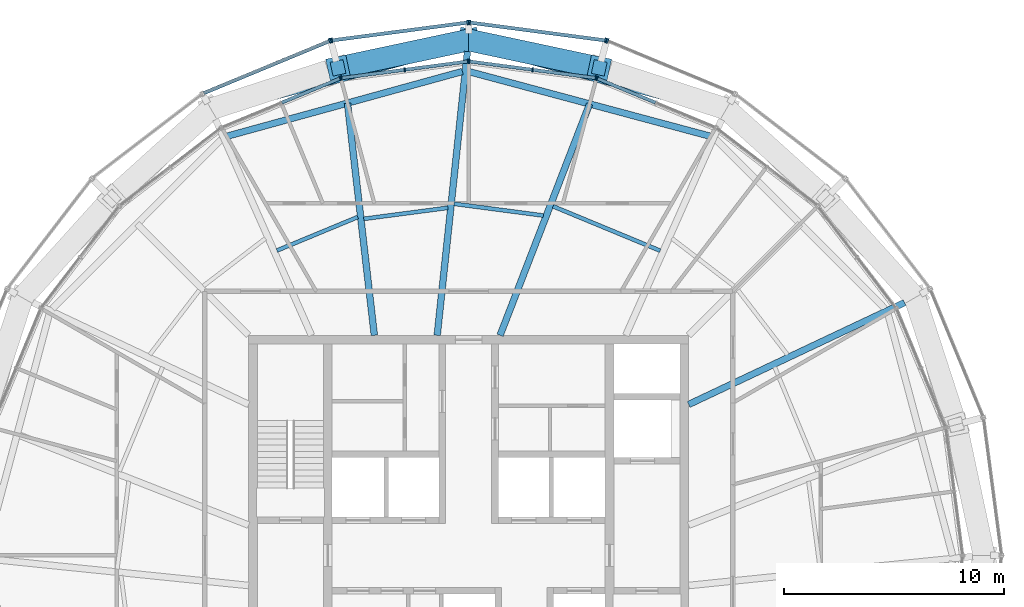
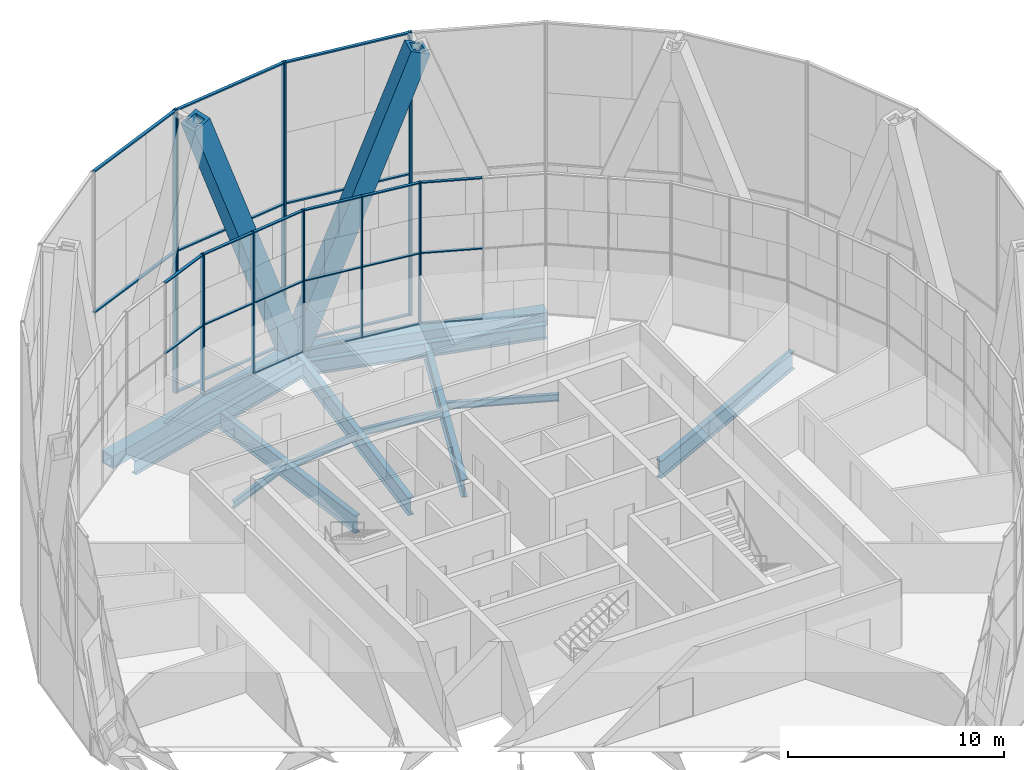
# One storey, part 7 of 22: 42 members, 12 beams, 8 elements without a shape of their own.
"""IFC4 building model written with IfcOpenShell, lengths in metres."""

import ifcopenshell
import ifcopenshell.guid

model = None  # the IFC model being written
_history = None  # IfcOwnerHistory: only IFC2X3 demands one
_inside = {}  # id of a spatial element -> (the spatial element, [elements in it])
_under = {}  # id of a project, library or spatial element -> (it, [spatial elements below it])
_declared = {}  # id of a project -> (the project, [libraries it declares])
_typed = {}  # id of a type object -> (the type object, [elements of that type])
_made_of = {}  # id of a material, layer set ... -> (it, [elements and type objects made of it])


def new_model(schema):
    """Start an empty IFC model of exactly this schema.

    Asked for "IFC4X3", IfcOpenShell would pick the latest addendum, in which some entities
    have other attributes; the version numbers below select the first issue.
    IFC2X3 requires an IfcOwnerHistory on every rooted entity: one is made here for all.
    """
    global model, _history
    if schema == "IFC4X3":
        model = ifcopenshell.file(schema_version=(4, 3, 0, 0))
    else:
        model = ifcopenshell.file(schema=schema)
    _inside.clear()
    _under.clear()
    _declared.clear()
    _typed.clear()
    _made_of.clear()
    _history = None
    if model.schema == "IFC2X3":
        org = make("IfcOrganization", Name="unknown")
        user = make(
            "IfcPersonAndOrganization",
            ThePerson=make("IfcPerson", FamilyName="unknown"),
            TheOrganization=org,
        )
        app = make(
            "IfcApplication",
            ApplicationDeveloper=org,
            Version="unknown",
            ApplicationFullName="unknown",
            ApplicationIdentifier="unknown",
        )
        _history = make(
            "IfcOwnerHistory",
            OwningUser=user,
            OwningApplication=app,
            ChangeAction="ADDED",
            CreationDate=0,
        )
    return model


def make(cls, **values):
    """One entity of the class cls with the attributes given. An attribute that is None is left unset."""
    return model.create_entity(
        cls, **{name: value for name, value in values.items() if value is not None}
    )


def rooted(cls, **values):
    """An entity with a GlobalId (a new one), such as an element, a storey or a relation."""
    return make(cls, GlobalId=ifcopenshell.guid.new(), OwnerHistory=_history, **values)


def si_unit(unit_type, name, prefix=None):
    """IfcSIUnit, for example si_unit("LENGTHUNIT", "METRE", prefix="MILLI")."""
    return make("IfcSIUnit", UnitType=unit_type, Prefix=prefix, Name=name)


def assignment(units):
    """IfcUnitAssignment: the units of a project."""
    return None if units is None else make("IfcUnitAssignment", Units=units)


def point(xyz):
    """IfcCartesianPoint."""
    return None if xyz is None else make("IfcCartesianPoint", Coordinates=xyz)


def direction(xyz):
    """IfcDirection."""
    return None if xyz is None else make("IfcDirection", DirectionRatios=xyz)


def frame(location, z_axis=None, x_axis=None):
    """IfcAxis2Placement3D, a coordinate frame: its origin and axes. An axis left out is left unset."""
    return make(
        "IfcAxis2Placement3D",
        Location=point(location),
        Axis=direction(z_axis),
        RefDirection=direction(x_axis),
    )


def frame_2d(location, x_axis=None):
    """IfcAxis2Placement2D, a coordinate frame in the plane: its origin and x axis."""
    return make(
        "IfcAxis2Placement2D", Location=point(location), RefDirection=direction(x_axis)
    )


def origin():
    """The frame at (0, 0, 0) with its axes left unset."""
    return frame((0.0, 0.0, 0.0))


def origin_2d():
    """The frame at (0, 0) in the plane with its x axis left unset."""
    return frame_2d((0.0, 0.0))


def place(relative_to, where):
    """IfcLocalPlacement: puts the frame where relative to a parent placement (None: the world)."""
    return make(
        "IfcLocalPlacement", PlacementRelTo=relative_to, RelativePlacement=where
    )


def context(
    kind, dimensions, precision=None, world=None, true_north=None, identifier=None
):
    """IfcGeometricRepresentationContext, for example the 3D "Model" context."""
    return make(
        "IfcGeometricRepresentationContext",
        ContextIdentifier=identifier,
        ContextType=kind,
        CoordinateSpaceDimension=dimensions,
        Precision=precision,
        WorldCoordinateSystem=world,
        TrueNorth=true_north,
    )


def subcontext(parent, identifier, kind, view, scale=None):
    """IfcGeometricRepresentationSubContext, for example "Body" below "Model"."""
    return make(
        "IfcGeometricRepresentationSubContext",
        ContextIdentifier=identifier,
        ContextType=kind,
        ParentContext=parent,
        TargetScale=scale,
        TargetView=view,
    )


def project(units=None, contexts=None):
    """IfcProject with its units and contexts."""
    return rooted(
        "IfcProject",
        Name="project",
        RepresentationContexts=contexts,
        UnitsInContext=assignment(units),
    )


def spatial(cls, under=None, at=None, **own):
    """A site, building, storey or space (cls), placed at a placement, below another one or the project."""
    s = rooted(cls, ObjectPlacement=at, **own)
    if under is not None:
        _under.setdefault(under.id(), (under, []))[1].append(s)
    return s


def profile(cls, at=None, kind="AREA", **sizes):
    """A parametric profile (cls). Its sizes go by their IFC names, for example OverallWidth=200.0."""
    return make(cls, ProfileType=kind, Position=at, **sizes)


def rectangle(**sizes):
    """IfcRectangleProfileDef."""
    return profile("IfcRectangleProfileDef", **sizes)


def hollow_rectangle(**sizes):
    """IfcRectangleHollowProfileDef."""
    return profile("IfcRectangleHollowProfileDef", **sizes)


def i_section(**sizes):
    """IfcIShapeProfileDef."""
    return profile("IfcIShapeProfileDef", **sizes)


def extrude(swept, where, along, depth):
    """IfcExtrudedAreaSolid: the profile swept, set in the frame where, extruded along a direction by depth."""
    return make(
        "IfcExtrudedAreaSolid",
        SweptArea=swept,
        Position=where,
        ExtrudedDirection=direction(along),
        Depth=depth,
    )


def shape(context_of_items, identifier, shape_type, items):
    """IfcShapeRepresentation: the items that make up one representation, for example the "Body"."""
    return make(
        "IfcShapeRepresentation",
        ContextOfItems=context_of_items,
        RepresentationIdentifier=identifier,
        RepresentationType=shape_type,
        Items=items,
    )


def material(Name=None, Category=None):
    """IfcMaterial."""
    return make("IfcMaterial", Name=Name, Category=Category)


def material_profile(
    of_material, cross_section, Name=None, Category=None, Priority=None
):
    """IfcMaterialProfile: a cross section and its material."""
    return make(
        "IfcMaterialProfile",
        Name=Name,
        Material=of_material,
        Profile=cross_section,
        Priority=Priority,
        Category=Category,
    )


def profile_set(profiles, Name=None, composite=None):
    """IfcMaterialProfileSet."""
    return make(
        "IfcMaterialProfileSet",
        Name=Name,
        MaterialProfiles=profiles,
        CompositeProfile=composite,
    )


def made_of(thing, what):
    """Note that an element or type object is made of a material, layer set ...; save() writes the relation."""
    if what is not None:
        _made_of.setdefault(what.id(), (what, []))[1].append(thing)
    return thing


def type_object(cls, material=None, **own):
    """A type object (cls), such as IfcWallType, which elements share."""
    return made_of(rooted(cls, **own), material)


def element(
    cls,
    number,
    at=None,
    inside=None,
    cuts=None,
    type_object=None,
    material=None,
    context=None,
    identifier="Body",
    shape_type=None,
    held_by="IfcProductDefinitionShape",
    body=None,
    shapes=None,
    **own,
):
    """One element of the class cls, such as IfcWall. Its Tag is "e" and its number.

    at: its placement. inside: the storey or other place that contains it. cuts: it is an
    opening in that element (IfcRelVoidsElement). A single representation is given by context,
    identifier, shape_type and body (its items); several are given by shapes. held_by: the class
    of the entity that holds the representations. save() writes the other relations.
    """
    e = rooted(cls, Tag="e%d" % number, ObjectPlacement=at, **own)
    if body is not None:
        shapes = [shape(context, identifier, shape_type, body)]
    if shapes is not None:
        e.Representation = make(held_by, Representations=shapes)
    if inside is not None:
        _inside.setdefault(inside.id(), (inside, []))[1].append(e)
    if cuts is not None:
        rooted(
            "IfcRelVoidsElement", RelatingBuildingElement=cuts, RelatedOpeningElement=e
        )
    if type_object is not None:
        _typed.setdefault(type_object.id(), (type_object, []))[1].append(e)
    return made_of(e, material)


def aggregate(whole, parts):
    """IfcRelAggregates: a whole, such as a stair, and the parts it consists of."""
    return rooted("IfcRelAggregates", RelatingObject=whole, RelatedObjects=parts)


def save(model, path):
    """Write the relations noted so far, then the file.

    IfcRelAggregates (storeys below a building ...), IfcRelContainedInSpatialStructure (elements
    in a storey), IfcRelDefinesByType, IfcRelAssociatesMaterial and IfcRelDeclares: one each for
    every whole, place, type object, material and project.
    """
    for whole, parts in _under.values():
        aggregate(whole, parts)
    for where, things in _inside.values():
        rooted(
            "IfcRelContainedInSpatialStructure",
            RelatedElements=things,
            RelatingStructure=where,
        )
    for kind, things in _typed.values():
        rooted("IfcRelDefinesByType", RelatedObjects=things, RelatingType=kind)
    for what, things in _made_of.values():
        rooted("IfcRelAssociatesMaterial", RelatedObjects=things, RelatingMaterial=what)
    for by, libraries in _declared.values():
        rooted("IfcRelDeclares", RelatingContext=by, RelatedDefinitions=libraries)
    model.write(path)


model = new_model("IFC4")

# Units and contexts
model_context = context("Model", 3, precision=1e-05, world=origin(), true_north=direction((0.0, 1.0)))
body_context = subcontext(model_context, "Body", "Model", "MODEL_VIEW")
ifc_project = project(units=[si_unit("LENGTHUNIT", "METRE"), si_unit("AREAUNIT", "SQUARE_METRE"), si_unit("VOLUMEUNIT", "CUBIC_METRE"), si_unit("PLANEANGLEUNIT", "RADIAN"), si_unit("MASSUNIT", "GRAM", prefix="KILO")], contexts=[model_context])

# Site, building, storey
site_placement = place(None, origin())
site = spatial("IfcSite", under=ifc_project, at=site_placement, CompositionType="ELEMENT")
building_placement = place(site_placement, origin())
building = spatial("IfcBuilding", under=site, at=building_placement, Name="Golbaran Civic Tower", CompositionType="ELEMENT")
storey_placement = place(building_placement, frame((0.0, 0.0, 248.0)))
storey = spatial("IfcBuildingStorey", under=building, at=storey_placement, Name="L60", CompositionType="ELEMENT", Elevation=248.0)

# Members
ifc_material_1 = material(Name="Steel S355", Category="steel")
ifc_material_profile_1 = material_profile(ifc_material_1, hollow_rectangle(XDim=1.0, YDim=1.0, WallThickness=0.179931640625, at=origin_2d()), Name="BOX 1000x1000x180")
ifc_profile_set_1 = profile_set([ifc_material_profile_1], Name="Steel S355")
member_type_1 = type_object("IfcMemberType", Name="DIAGRID DIAGONAL BOX 1000x1000x180", PredefinedType="BRACE", material=ifc_profile_set_1)
for number, where, z_axis, x_axis, name in (
    (1, (0.0, 23.423095703125, -0.7099609375), (-0.346918780994, -0.07401466611, 0.934970153852), (0.208652833004, -0.977989772584, 0.0), "Diagonal D14-03R L60-L64"),
    (2, (0.0, 23.423095703125, -0.7099609375), (0.346918780994, -0.07401466611, 0.934970153852), (0.208652833004, 0.977989772584, 0.0), "Diagonal D14-03L L60-L64"),
):
    element("IfcMember", number, at=place(storey_placement, frame(where, z_axis=z_axis, x_axis=x_axis)), inside=storey, type_object=member_type_1, Name=name, PredefinedType="BRACE", context=body_context, shape_type="SweptSolid", body=[
        extrude(hollow_rectangle(XDim=1.0, YDim=1.0, WallThickness=0.179931640625, at=origin_2d()), origin(), (0.0, 0.0, 1.0), 17.11279296875),
    ])

# Beams
ifc_material_profile_2 = material_profile(ifc_material_1, hollow_rectangle(XDim=0.699951171875, YDim=0.699951171875, WallThickness=0.080078125, at=origin_2d()), Name="BOX 700x700x80")
ifc_profile_set_2 = profile_set([ifc_material_profile_2], Name="Steel S355")
beam_type_1 = type_object("IfcBeamType", Name="DIAGRID RING TIE BOX 700x700x80", PredefinedType="BEAM", material=ifc_profile_set_2)
for number, where, z_axis, x_axis, name in (
    (3, (11.71142578125, 20.284912109375, -0.7099609375), (-0.965923423827, 0.258828011046, 0.0), (-0.258828011046, -0.965923423827, 0.0), "Ring tie 60.00 L60"),
    (4, (0.0, 23.423095703125, -0.7099609375), (-0.965923423827, -0.258828011046, 0.0), (0.258828011046, -0.965923423827, 0.0), "Ring tie 90.00 L60"),
):
    element("IfcBeam", number, at=place(storey_placement, frame(where, z_axis=z_axis, x_axis=x_axis)), inside=storey, type_object=beam_type_1, Name=name, PredefinedType="BEAM", context=body_context, shape_type="SweptSolid", body=[
        extrude(hollow_rectangle(XDim=0.699951171875, YDim=0.699951171875, WallThickness=0.080078125, at=origin_2d()), origin(), (0.0, 0.0, 1.0), 12.12451171875),
    ])
ifc_material_profile_3 = material_profile(ifc_material_1, i_section(OverallWidth=0.300048828125, OverallDepth=0.800048828125, WebThickness=0.017578125, FlangeThickness=0.032958984375, FilletRadius=0.030029296875, at=origin_2d()), Name="HEB 800")
ifc_profile_set_3 = profile_set([ifc_material_profile_3], Name="Steel S355")
beam_type_2 = type_object("IfcBeamType", Name="EDGE BEAM HEB 800", PredefinedType="BEAM", material=ifc_profile_set_3)
beam_1_placement = place(storey_placement, frame((11.015380859375, 19.038330078125, -0.60009765625), z_axis=(-0.965930693555, 0.258800879537, 0.0), x_axis=(-0.258800879537, -0.965930693555, 0.0)))
element("IfcBeam", 5, at=beam_1_placement, inside=storey, type_object=beam_type_2, Name="Edge beam 60.00 L60", PredefinedType="BEAM", context=body_context, shape_type="SweptSolid", body=[
    extrude(i_section(OverallWidth=0.300048828125, OverallDepth=0.800048828125, WebThickness=0.017578125, FlangeThickness=0.032958984375, FilletRadius=0.030029296875, at=origin_2d()), origin(), (0.0, 0.0, 1.0), 11.42578125),
])
beam_2_placement = place(storey_placement, frame((-0.282958984375, 21.992431640625, -0.60009765625), z_axis=(-0.964163607289, -0.265308383544, 0.0), x_axis=(0.265308383544, -0.964163607289, 0.0)))
element("IfcBeam", 6, at=beam_2_placement, inside=storey, type_object=beam_type_2, Name="Edge beam 90.00 L60", PredefinedType="BEAM", context=body_context, shape_type="SweptSolid", body=[
    extrude(i_section(OverallWidth=0.300048828125, OverallDepth=0.800048828125, WebThickness=0.017578125, FlangeThickness=0.032958984375, FilletRadius=0.030029296875, at=origin_2d()), origin(), (0.0, 0.0, 1.0), 11.1318359375),
])
ifc_material_profile_4 = material_profile(ifc_material_1, i_section(OverallWidth=0.179931640625, OverallDepth=0.39990234375, WebThickness=0.008544921875, FlangeThickness=0.013427734375, FilletRadius=0.02099609375, at=origin_2d()), Name="IPE 400")
ifc_profile_set_4 = profile_set([ifc_material_profile_4], Name="Steel S355")
beam_type_3 = type_object("IfcBeamType", Name="FLOOR INFILL BEAM IPE 400", PredefinedType="BEAM", material=ifc_profile_set_4)
beam_3_placement = place(storey_placement, frame((8.708740234375, 13.84521484375, -0.39990234375), z_axis=(-0.92388706237, 0.382665253172, 0.0), x_axis=(-0.382665253172, -0.92388706237, 0.0)))
element("IfcBeam", 7, at=beam_3_placement, inside=storey, type_object=beam_type_3, Name="Infill beam 67.50 L60", PredefinedType="BEAM", context=body_context, shape_type="SweptSolid", body=[
    extrude(i_section(OverallWidth=0.179931640625, OverallDepth=0.39990234375, WebThickness=0.008544921875, FlangeThickness=0.013427734375, FilletRadius=0.02099609375, at=origin_2d()), origin(), (0.0, 0.0, 1.0), 5.273681640625),
])
beam_4_placement = place(storey_placement, frame((3.3955078125, 15.44384765625, -0.39990234375), z_axis=(-0.991443326473, 0.130537850423, 0.0), x_axis=(-0.130537850423, -0.991443326473, 0.0)))
element("IfcBeam", 8, at=beam_4_placement, inside=storey, type_object=beam_type_3, Name="Infill beam 82.50 L60", PredefinedType="BEAM", context=body_context, shape_type="SweptSolid", body=[
    extrude(i_section(OverallWidth=0.179931640625, OverallDepth=0.39990234375, WebThickness=0.008544921875, FlangeThickness=0.013427734375, FilletRadius=0.02099609375, at=origin_2d()), origin(), (0.0, 0.0, 1.0), 4.092041015625),
])
beam_5_placement = place(storey_placement, frame((-0.9423828125, 15.79638671875, -0.39990234375), z_axis=(-0.991450849113, -0.130480702762, 0.0), x_axis=(0.130480702762, -0.991450849113, 0.0)))
element("IfcBeam", 9, at=beam_5_placement, inside=storey, type_object=beam_type_3, Name="Infill beam 97.50 L60", PredefinedType="BEAM", context=body_context, shape_type="SweptSolid", body=[
    extrude(i_section(OverallWidth=0.179931640625, OverallDepth=0.39990234375, WebThickness=0.008544921875, FlangeThickness=0.013427734375, FilletRadius=0.02099609375, at=origin_2d()), origin(), (0.0, 0.0, 1.0), 3.858154296875),
])
beam_6_placement = place(storey_placement, frame((-5.0390625, 15.376220703125, -0.39990234375), z_axis=(-0.923881392468, -0.382678942002, 0.0), x_axis=(0.382678942002, -0.923881392468, 0.0)))
element("IfcBeam", 10, at=beam_6_placement, inside=storey, type_object=beam_type_3, Name="Infill beam 112.50 L60", PredefinedType="BEAM", context=body_context, shape_type="SweptSolid", body=[
    extrude(i_section(OverallWidth=0.179931640625, OverallDepth=0.39990234375, WebThickness=0.008544921875, FlangeThickness=0.013427734375, FilletRadius=0.02099609375, at=origin_2d()), origin(), (0.0, 0.0, 1.0), 3.9765625),
])

# Curtain wall, member
ifc_material_2 = material(Name="Aluminium and glass", Category="aluminium")
curtain_wall_type_1 = type_object("IfcCurtainWallType", Name="INNER SKIN CURTAIN WALL EXECUTIVE", PredefinedType="NOTDEFINED", material=ifc_material_2)
curtain_wall_1_placement = place(storey_placement, origin())
curtain_wall_1 = element("IfcCurtainWall", 11, at=curtain_wall_1_placement, inside=storey, type_object=curtain_wall_type_1, Name="Inner skin L60 facet 5 CW2", ObjectType="INNER SKIN", PredefinedType="USERDEFINED")
ifc_material_3 = material(Name="Aluminium", Category="aluminium")
ifc_material_profile_5 = material_profile(ifc_material_3, rectangle(XDim=0.199951171875, YDim=0.06005859375, at=origin_2d()), Name="INNER SKIN CURTAIN WALL EXECUTIVE MULLION")
ifc_profile_set_5 = profile_set([ifc_material_profile_5], Name="Aluminium")
member_type_2 = type_object("IfcMemberType", Name="INNER SKIN CURTAIN WALL EXECUTIVE MULLION", PredefinedType="MULLION", material=ifc_profile_set_5)
member_1_placement = place(storey_placement, frame((5.838623046875, 21.675537109375, 0.0), z_axis=(0.0, 0.0, 1.0), x_axis=(-0.382683432381, -0.923879532505, 0.0)))
member_1 = element("IfcMember", 12, at=member_1_placement, type_object=member_type_2, Name="CW2 mullion 3", PredefinedType="MULLION", context=body_context, shape_type="SweptSolid", body=[
    extrude(rectangle(XDim=0.199951171875, YDim=0.06005859375, at=origin_2d()), origin(), (0.0, 0.0, 1.0), 8.0),
])

# Curtain wall, members
curtain_wall_2_placement = place(storey_placement, origin())
curtain_wall_2 = element("IfcCurtainWall", 13, at=curtain_wall_2_placement, inside=storey, type_object=curtain_wall_type_1, Name="Inner skin L60 facet 6 CW2", ObjectType="INNER SKIN", PredefinedType="USERDEFINED")
member_2_placement = place(storey_placement, frame((5.78125, 21.69091796875, 0.0), z_axis=(0.0, 0.0, 1.0), x_axis=(-0.130526192185, -0.991444861378, 0.0)))
member_2 = element("IfcMember", 14, at=member_2_placement, type_object=member_type_2, Name="CW2 mullion 1", PredefinedType="MULLION", context=body_context, shape_type="SweptSolid", body=[
    extrude(rectangle(XDim=0.199951171875, YDim=0.06005859375, at=origin_2d()), origin(), (0.0, 0.0, 1.0), 8.0),
])
member_3_placement = place(storey_placement, frame((2.905517578125, 22.069580078125, 0.0), z_axis=(0.0, 0.0, 1.0), x_axis=(-0.130526192185, -0.991444861378, 0.0)))
member_3 = element("IfcMember", 15, at=member_3_placement, type_object=member_type_2, Name="CW2 mullion 2", PredefinedType="MULLION", context=body_context, shape_type="SweptSolid", body=[
    extrude(rectangle(XDim=0.199951171875, YDim=0.06005859375, at=origin_2d()), origin(), (0.0, 0.0, 1.0), 8.0),
])
member_4_placement = place(storey_placement, frame((0.02978515625, 22.447998046875, 0.0), z_axis=(0.0, 0.0, 1.0), x_axis=(-0.130526192185, -0.991444861378, 0.0)))
member_4 = element("IfcMember", 16, at=member_4_placement, type_object=member_type_2, Name="CW2 mullion 3", PredefinedType="MULLION", context=body_context, shape_type="SweptSolid", body=[
    extrude(rectangle(XDim=0.199951171875, YDim=0.06005859375, at=origin_2d()), origin(), (0.0, 0.0, 1.0), 8.0),
])

curtain_wall_3_placement = place(storey_placement, origin())
curtain_wall_3 = element("IfcCurtainWall", 17, at=curtain_wall_3_placement, inside=storey, type_object=curtain_wall_type_1, Name="Inner skin L60 facet 7 CW2", ObjectType="INNER SKIN", PredefinedType="USERDEFINED")
member_5_placement = place(storey_placement, frame((-0.02978515625, 22.447998046875, 0.0), z_axis=(0.0, 0.0, 1.0), x_axis=(0.130526192185, -0.991444861378, 0.0)))
member_5 = element("IfcMember", 18, at=member_5_placement, type_object=member_type_2, Name="CW2 mullion 1", PredefinedType="MULLION", context=body_context, shape_type="SweptSolid", body=[
    extrude(rectangle(XDim=0.199951171875, YDim=0.06005859375, at=origin_2d()), origin(), (0.0, 0.0, 1.0), 8.0),
])
member_6_placement = place(storey_placement, frame((-2.905517578125, 22.069580078125, 0.0), z_axis=(0.0, 0.0, 1.0), x_axis=(0.130526192185, -0.991444861378, 0.0)))
member_6 = element("IfcMember", 19, at=member_6_placement, type_object=member_type_2, Name="CW2 mullion 2", PredefinedType="MULLION", context=body_context, shape_type="SweptSolid", body=[
    extrude(rectangle(XDim=0.199951171875, YDim=0.06005859375, at=origin_2d()), origin(), (0.0, 0.0, 1.0), 8.0),
])
member_7_placement = place(storey_placement, frame((-5.78125, 21.69091796875, 0.0), z_axis=(0.0, 0.0, 1.0), x_axis=(0.130526192185, -0.991444861378, 0.0)))
member_7 = element("IfcMember", 20, at=member_7_placement, type_object=member_type_2, Name="CW2 mullion 3", PredefinedType="MULLION", context=body_context, shape_type="SweptSolid", body=[
    extrude(rectangle(XDim=0.199951171875, YDim=0.06005859375, at=origin_2d()), origin(), (0.0, 0.0, 1.0), 8.0),
])

# Curtain wall, member
curtain_wall_4_placement = place(storey_placement, origin())
curtain_wall_4 = element("IfcCurtainWall", 21, at=curtain_wall_4_placement, inside=storey, type_object=curtain_wall_type_1, Name="Inner skin L60 facet 8 CW2", ObjectType="INNER SKIN", PredefinedType="USERDEFINED")
member_8_placement = place(storey_placement, frame((-5.838623046875, 21.675537109375, 0.0), z_axis=(0.0, 0.0, 1.0), x_axis=(0.382683432381, -0.923879532505, 0.0)))
member_8 = element("IfcMember", 22, at=member_8_placement, type_object=member_type_2, Name="CW2 mullion 1", PredefinedType="MULLION", context=body_context, shape_type="SweptSolid", body=[
    extrude(rectangle(XDim=0.199951171875, YDim=0.06005859375, at=origin_2d()), origin(), (0.0, 0.0, 1.0), 8.0),
])

# Member
ifc_material_profile_6 = material_profile(ifc_material_3, rectangle(XDim=0.14990234375, YDim=0.06005859375, at=origin_2d()), Name="INNER SKIN CURTAIN WALL EXECUTIVE TRANSOM")
ifc_profile_set_6 = profile_set([ifc_material_profile_6], Name="Aluminium")
member_type_3 = type_object("IfcMemberType", Name="INNER SKIN CURTAIN WALL EXECUTIVE TRANSOM", PredefinedType="USERDEFINED", material=ifc_profile_set_6)
member_9_placement = place(storey_placement, frame((8.49072265625, 20.576904296875, 0.030029296875), z_axis=(-0.923860739284, 0.382728800078, 0.0), x_axis=(-0.382728800078, -0.923860739284, 0.0)))
member_9 = element("IfcMember", 23, at=member_9_placement, type_object=member_type_3, Name="CW2 transom 2.1", ObjectType="TRANSOM", PredefinedType="USERDEFINED", context=body_context, shape_type="SweptSolid", body=[
    extrude(rectangle(XDim=0.14990234375, YDim=0.06005859375, at=origin_2d()), origin(), (0.0, 0.0, 1.0), 2.840576171875),
])

member_10_placement = place(storey_placement, frame((8.49072265625, 20.576904296875, 4.0), z_axis=(-0.923860739284, 0.382728800078, 0.0), x_axis=(-0.382728800078, -0.923860739284, 0.0)))
member_10 = element("IfcMember", 24, at=member_10_placement, type_object=member_type_3, Name="CW2 transom 2.2", ObjectType="TRANSOM", PredefinedType="USERDEFINED", context=body_context, shape_type="SweptSolid", body=[
    extrude(rectangle(XDim=0.14990234375, YDim=0.06005859375, at=origin_2d()), origin(), (0.0, 0.0, 1.0), 2.840576171875),
])

member_11_placement = place(storey_placement, frame((8.49072265625, 20.576904296875, 7.969970703125), z_axis=(-0.923860739284, 0.382728800078, 0.0), x_axis=(-0.382728800078, -0.923860739284, 0.0)))
member_11 = element("IfcMember", 25, at=member_11_placement, type_object=member_type_3, Name="CW2 transom 2.3", ObjectType="TRANSOM", PredefinedType="USERDEFINED", context=body_context, shape_type="SweptSolid", body=[
    extrude(rectangle(XDim=0.14990234375, YDim=0.06005859375, at=origin_2d()), origin(), (0.0, 0.0, 1.0), 2.840576171875),
])

aggregate(curtain_wall_1, [member_1, member_9, member_10, member_11])

member_12_placement = place(storey_placement, frame((5.75146484375, 21.69482421875, 0.030029296875), z_axis=(-0.991440540275, 0.130559010028, 0.0), x_axis=(-0.130559010028, -0.991440540275, 0.0)))
member_12 = element("IfcMember", 26, at=member_12_placement, type_object=member_type_3, Name="CW2 transom 1.1", ObjectType="TRANSOM", PredefinedType="USERDEFINED", context=body_context, shape_type="SweptSolid", body=[
    extrude(rectangle(XDim=0.14990234375, YDim=0.06005859375, at=origin_2d()), origin(), (0.0, 0.0, 1.0), 2.840576171875),
])

member_13_placement = place(storey_placement, frame((5.75146484375, 21.69482421875, 4.0), z_axis=(-0.991440540275, 0.130559010028, 0.0), x_axis=(-0.130559010028, -0.991440540275, 0.0)))
member_13 = element("IfcMember", 27, at=member_13_placement, type_object=member_type_3, Name="CW2 transom 1.2", ObjectType="TRANSOM", PredefinedType="USERDEFINED", context=body_context, shape_type="SweptSolid", body=[
    extrude(rectangle(XDim=0.14990234375, YDim=0.06005859375, at=origin_2d()), origin(), (0.0, 0.0, 1.0), 2.840576171875),
])

member_14_placement = place(storey_placement, frame((5.75146484375, 21.69482421875, 7.969970703125), z_axis=(-0.991440540275, 0.130559010028, 0.0), x_axis=(-0.130559010028, -0.991440540275, 0.0)))
member_14 = element("IfcMember", 28, at=member_14_placement, type_object=member_type_3, Name="CW2 transom 1.3", ObjectType="TRANSOM", PredefinedType="USERDEFINED", context=body_context, shape_type="SweptSolid", body=[
    extrude(rectangle(XDim=0.14990234375, YDim=0.06005859375, at=origin_2d()), origin(), (0.0, 0.0, 1.0), 2.840576171875),
])

member_15_placement = place(storey_placement, frame((2.875732421875, 22.073486328125, 0.030029296875), z_axis=(-0.991451662378, 0.130474523059, 0.0), x_axis=(-0.130474523059, -0.991451662378, 0.0)))
member_15 = element("IfcMember", 29, at=member_15_placement, type_object=member_type_3, Name="CW2 transom 2.1", ObjectType="TRANSOM", PredefinedType="USERDEFINED", context=body_context, shape_type="SweptSolid", body=[
    extrude(rectangle(XDim=0.14990234375, YDim=0.06005859375, at=origin_2d()), origin(), (0.0, 0.0, 1.0), 2.84033203125),
])

member_16_placement = place(storey_placement, frame((2.875732421875, 22.073486328125, 4.0), z_axis=(-0.991451662378, 0.130474523059, 0.0), x_axis=(-0.130474523059, -0.991451662378, 0.0)))
member_16 = element("IfcMember", 30, at=member_16_placement, type_object=member_type_3, Name="CW2 transom 2.2", ObjectType="TRANSOM", PredefinedType="USERDEFINED", context=body_context, shape_type="SweptSolid", body=[
    extrude(rectangle(XDim=0.14990234375, YDim=0.06005859375, at=origin_2d()), origin(), (0.0, 0.0, 1.0), 2.84033203125),
])

member_17_placement = place(storey_placement, frame((2.875732421875, 22.073486328125, 7.969970703125), z_axis=(-0.991451662378, 0.130474523059, 0.0), x_axis=(-0.130474523059, -0.991451662378, 0.0)))
member_17 = element("IfcMember", 31, at=member_17_placement, type_object=member_type_3, Name="CW2 transom 2.3", ObjectType="TRANSOM", PredefinedType="USERDEFINED", context=body_context, shape_type="SweptSolid", body=[
    extrude(rectangle(XDim=0.14990234375, YDim=0.06005859375, at=origin_2d()), origin(), (0.0, 0.0, 1.0), 2.84033203125),
])

aggregate(curtain_wall_2, [member_2, member_3, member_4, member_12, member_13, member_14, member_15, member_16, member_17])

member_18_placement = place(storey_placement, frame((-0.0595703125, 22.444091796875, 0.030029296875), z_axis=(-0.991451662378, -0.130474523059, 0.0), x_axis=(0.130474523059, -0.991451662378, 0.0)))
member_18 = element("IfcMember", 32, at=member_18_placement, type_object=member_type_3, Name="CW2 transom 1.1", ObjectType="TRANSOM", PredefinedType="USERDEFINED", context=body_context, shape_type="SweptSolid", body=[
    extrude(rectangle(XDim=0.14990234375, YDim=0.06005859375, at=origin_2d()), origin(), (0.0, 0.0, 1.0), 2.84033203125),
])

member_19_placement = place(storey_placement, frame((-0.0595703125, 22.444091796875, 4.0), z_axis=(-0.991451662378, -0.130474523059, 0.0), x_axis=(0.130474523059, -0.991451662378, 0.0)))
member_19 = element("IfcMember", 33, at=member_19_placement, type_object=member_type_3, Name="CW2 transom 1.2", ObjectType="TRANSOM", PredefinedType="USERDEFINED", context=body_context, shape_type="SweptSolid", body=[
    extrude(rectangle(XDim=0.14990234375, YDim=0.06005859375, at=origin_2d()), origin(), (0.0, 0.0, 1.0), 2.84033203125),
])

member_20_placement = place(storey_placement, frame((-0.0595703125, 22.444091796875, 7.969970703125), z_axis=(-0.991451662378, -0.130474523059, 0.0), x_axis=(0.130474523059, -0.991451662378, 0.0)))
member_20 = element("IfcMember", 34, at=member_20_placement, type_object=member_type_3, Name="CW2 transom 1.3", ObjectType="TRANSOM", PredefinedType="USERDEFINED", context=body_context, shape_type="SweptSolid", body=[
    extrude(rectangle(XDim=0.14990234375, YDim=0.06005859375, at=origin_2d()), origin(), (0.0, 0.0, 1.0), 2.84033203125),
])

member_21_placement = place(storey_placement, frame((-2.935302734375, 22.065673828125, 0.030029296875), z_axis=(-0.991440540275, -0.130559010028, 0.0), x_axis=(0.130559010028, -0.991440540275, 0.0)))
member_21 = element("IfcMember", 35, at=member_21_placement, type_object=member_type_3, Name="CW2 transom 2.1", ObjectType="TRANSOM", PredefinedType="USERDEFINED", context=body_context, shape_type="SweptSolid", body=[
    extrude(rectangle(XDim=0.14990234375, YDim=0.06005859375, at=origin_2d()), origin(), (0.0, 0.0, 1.0), 2.840576171875),
])

member_22_placement = place(storey_placement, frame((-2.935302734375, 22.065673828125, 4.0), z_axis=(-0.991440540275, -0.130559010028, 0.0), x_axis=(0.130559010028, -0.991440540275, 0.0)))
member_22 = element("IfcMember", 36, at=member_22_placement, type_object=member_type_3, Name="CW2 transom 2.2", ObjectType="TRANSOM", PredefinedType="USERDEFINED", context=body_context, shape_type="SweptSolid", body=[
    extrude(rectangle(XDim=0.14990234375, YDim=0.06005859375, at=origin_2d()), origin(), (0.0, 0.0, 1.0), 2.840576171875),
])

member_23_placement = place(storey_placement, frame((-2.935302734375, 22.065673828125, 7.969970703125), z_axis=(-0.991440540275, -0.130559010028, 0.0), x_axis=(0.130559010028, -0.991440540275, 0.0)))
member_23 = element("IfcMember", 37, at=member_23_placement, type_object=member_type_3, Name="CW2 transom 2.3", ObjectType="TRANSOM", PredefinedType="USERDEFINED", context=body_context, shape_type="SweptSolid", body=[
    extrude(rectangle(XDim=0.14990234375, YDim=0.06005859375, at=origin_2d()), origin(), (0.0, 0.0, 1.0), 2.840576171875),
])

aggregate(curtain_wall_3, [member_5, member_6, member_7, member_18, member_19, member_20, member_21, member_22, member_23])

member_24_placement = place(storey_placement, frame((-5.866455078125, 21.6640625, 0.030029296875), z_axis=(-0.923860739284, -0.382728800078, 0.0), x_axis=(0.382728800078, -0.923860739284, 0.0)))
member_24 = element("IfcMember", 38, at=member_24_placement, type_object=member_type_3, Name="CW2 transom 1.1", ObjectType="TRANSOM", PredefinedType="USERDEFINED", context=body_context, shape_type="SweptSolid", body=[
    extrude(rectangle(XDim=0.14990234375, YDim=0.06005859375, at=origin_2d()), origin(), (0.0, 0.0, 1.0), 2.840576171875),
])

member_25_placement = place(storey_placement, frame((-5.866455078125, 21.6640625, 4.0), z_axis=(-0.923860739284, -0.382728800078, 0.0), x_axis=(0.382728800078, -0.923860739284, 0.0)))
member_25 = element("IfcMember", 39, at=member_25_placement, type_object=member_type_3, Name="CW2 transom 1.2", ObjectType="TRANSOM", PredefinedType="USERDEFINED", context=body_context, shape_type="SweptSolid", body=[
    extrude(rectangle(XDim=0.14990234375, YDim=0.06005859375, at=origin_2d()), origin(), (0.0, 0.0, 1.0), 2.840576171875),
])

member_26_placement = place(storey_placement, frame((-5.866455078125, 21.6640625, 7.969970703125), z_axis=(-0.923860739284, -0.382728800078, 0.0), x_axis=(0.382728800078, -0.923860739284, 0.0)))
member_26 = element("IfcMember", 40, at=member_26_placement, type_object=member_type_3, Name="CW2 transom 1.3", ObjectType="TRANSOM", PredefinedType="USERDEFINED", context=body_context, shape_type="SweptSolid", body=[
    extrude(rectangle(XDim=0.14990234375, YDim=0.06005859375, at=origin_2d()), origin(), (0.0, 0.0, 1.0), 2.840576171875),
])

aggregate(curtain_wall_4, [member_8, member_24, member_25, member_26])

# Curtain wall, member
curtain_wall_type_2 = type_object("IfcCurtainWallType", Name="OUTER SKIN TERRACOTTA SCREEN", PredefinedType="NOTDEFINED", material=ifc_material_2)
curtain_wall_5_placement = place(storey_placement, origin())
curtain_wall_5 = element("IfcCurtainWall", 41, at=curtain_wall_5_placement, inside=storey, type_object=curtain_wall_type_2, Name="Outer skin L60 facet 5 CW3", ObjectType="OUTER SKIN", PredefinedType="USERDEFINED")
ifc_material_profile_7 = material_profile(ifc_material_3, rectangle(XDim=0.219970703125, YDim=0.080078125, at=origin_2d()), Name="OUTER SKIN TERRACOTTA SCREEN MULLION")
ifc_profile_set_7 = profile_set([ifc_material_profile_7], Name="Aluminium")
member_type_4 = type_object("IfcMemberType", Name="OUTER SKIN TERRACOTTA SCREEN MULLION", PredefinedType="MULLION", material=ifc_profile_set_7)
member_27_placement = place(storey_placement, frame((6.306396484375, 23.38232421875, -0.7099609375), z_axis=(0.0, 0.0, 1.0), x_axis=(-0.382683432349, -0.923879532518, 0.0)))
member_27 = element("IfcMember", 42, at=member_27_placement, type_object=member_type_4, Name="CW3 mullion 2", PredefinedType="MULLION", context=body_context, shape_type="SweptSolid", body=[
    extrude(rectangle(XDim=0.219970703125, YDim=0.080078125, at=origin_2d()), origin(), (0.0, 0.0, 1.0), 16.0),
])
aggregate(curtain_wall_5, [member_27])

# Curtain wall, members
curtain_wall_6_placement = place(storey_placement, origin())
curtain_wall_6 = element("IfcCurtainWall", 43, at=curtain_wall_6_placement, inside=storey, type_object=curtain_wall_type_2, Name="Outer skin L60 facet 6 CW3", ObjectType="OUTER SKIN", PredefinedType="USERDEFINED")
member_28_placement = place(storey_placement, frame((6.229736328125, 23.40283203125, -0.7099609375), z_axis=(0.0, 0.0, 1.0), x_axis=(-0.130526192237, -0.991444861372, 0.0)))
member_28 = element("IfcMember", 44, at=member_28_placement, type_object=member_type_4, Name="CW3 mullion 1", PredefinedType="MULLION", context=body_context, shape_type="SweptSolid", body=[
    extrude(rectangle(XDim=0.219970703125, YDim=0.080078125, at=origin_2d()), origin(), (0.0, 0.0, 1.0), 16.0),
])
member_29_placement = place(storey_placement, frame((0.03955078125, 24.2177734375, -0.7099609375), z_axis=(0.0, 0.0, 1.0), x_axis=(-0.130526192237, -0.991444861372, 0.0)))
member_29 = element("IfcMember", 45, at=member_29_placement, type_object=member_type_4, Name="CW3 mullion 2", PredefinedType="MULLION", context=body_context, shape_type="SweptSolid", body=[
    extrude(rectangle(XDim=0.219970703125, YDim=0.080078125, at=origin_2d()), origin(), (0.0, 0.0, 1.0), 16.0),
])

curtain_wall_7_placement = place(storey_placement, origin())
curtain_wall_7 = element("IfcCurtainWall", 46, at=curtain_wall_7_placement, inside=storey, type_object=curtain_wall_type_2, Name="Outer skin L60 facet 7 CW3", ObjectType="OUTER SKIN", PredefinedType="USERDEFINED")
member_30_placement = place(storey_placement, frame((-0.03955078125, 24.2177734375, -0.7099609375), z_axis=(0.0, 0.0, 1.0), x_axis=(0.130526192237, -0.991444861372, 0.0)))
member_30 = element("IfcMember", 47, at=member_30_placement, type_object=member_type_4, Name="CW3 mullion 1", PredefinedType="MULLION", context=body_context, shape_type="SweptSolid", body=[
    extrude(rectangle(XDim=0.219970703125, YDim=0.080078125, at=origin_2d()), origin(), (0.0, 0.0, 1.0), 16.0),
])
member_31_placement = place(storey_placement, frame((-6.229736328125, 23.40283203125, -0.7099609375), z_axis=(0.0, 0.0, 1.0), x_axis=(0.130526192237, -0.991444861372, 0.0)))
member_31 = element("IfcMember", 48, at=member_31_placement, type_object=member_type_4, Name="CW3 mullion 2", PredefinedType="MULLION", context=body_context, shape_type="SweptSolid", body=[
    extrude(rectangle(XDim=0.219970703125, YDim=0.080078125, at=origin_2d()), origin(), (0.0, 0.0, 1.0), 16.0),
])

# Curtain wall, member
curtain_wall_8_placement = place(storey_placement, origin())
curtain_wall_8 = element("IfcCurtainWall", 49, at=curtain_wall_8_placement, inside=storey, type_object=curtain_wall_type_2, Name="Outer skin L60 facet 8 CW3", ObjectType="OUTER SKIN", PredefinedType="USERDEFINED")
member_32_placement = place(storey_placement, frame((-6.306396484375, 23.38232421875, -0.7099609375), z_axis=(0.0, 0.0, 1.0), x_axis=(0.382683432349, -0.923879532518, 0.0)))
member_32 = element("IfcMember", 50, at=member_32_placement, type_object=member_type_4, Name="CW3 mullion 1", PredefinedType="MULLION", context=body_context, shape_type="SweptSolid", body=[
    extrude(rectangle(XDim=0.219970703125, YDim=0.080078125, at=origin_2d()), origin(), (0.0, 0.0, 1.0), 16.0),
])

# Member
ifc_material_profile_8 = material_profile(ifc_material_3, rectangle(XDim=0.159912109375, YDim=0.080078125, at=origin_2d()), Name="OUTER SKIN TERRACOTTA SCREEN TRANSOM")
ifc_profile_set_8 = profile_set([ifc_material_profile_8], Name="Aluminium")
member_type_5 = type_object("IfcMemberType", Name="OUTER SKIN TERRACOTTA SCREEN TRANSOM", PredefinedType="USERDEFINED", material=ifc_profile_set_8)
member_33_placement = place(storey_placement, frame((6.18994140625, 23.407958984375, -0.669921875), z_axis=(-0.991440402921, 0.13056005306, 0.0), x_axis=(-0.13056005306, -0.991440402921, 0.0)))
member_33 = element("IfcMember", 51, at=member_33_placement, type_object=member_type_5, Name="CW3 transom 1.1", ObjectType="TRANSOM", PredefinedType="USERDEFINED", context=body_context, shape_type="SweptSolid", body=[
    extrude(rectangle(XDim=0.159912109375, YDim=0.080078125, at=origin_2d()), origin(), (0.0, 0.0, 1.0), 6.163330078125),
])

member_34_placement = place(storey_placement, frame((6.18994140625, 23.407958984375, 7.2900390625), z_axis=(-0.991440402921, 0.13056005306, 0.0), x_axis=(-0.13056005306, -0.991440402921, 0.0)))
member_34 = element("IfcMember", 52, at=member_34_placement, type_object=member_type_5, Name="CW3 transom 1.2", ObjectType="TRANSOM", PredefinedType="USERDEFINED", context=body_context, shape_type="SweptSolid", body=[
    extrude(rectangle(XDim=0.159912109375, YDim=0.080078125, at=origin_2d()), origin(), (0.0, 0.0, 1.0), 6.163330078125),
])

member_35_placement = place(storey_placement, frame((6.18994140625, 23.407958984375, 15.25), z_axis=(-0.991440402921, 0.13056005306, 0.0), x_axis=(-0.13056005306, -0.991440402921, 0.0)))
member_35 = element("IfcMember", 53, at=member_35_placement, type_object=member_type_5, Name="CW3 transom 1.3", ObjectType="TRANSOM", PredefinedType="USERDEFINED", context=body_context, shape_type="SweptSolid", body=[
    extrude(rectangle(XDim=0.159912109375, YDim=0.080078125, at=origin_2d()), origin(), (0.0, 0.0, 1.0), 6.163330078125),
])

aggregate(curtain_wall_6, [member_28, member_29, member_33, member_34, member_35])

member_36_placement = place(storey_placement, frame((-0.079345703125, 24.212646484375, -0.669921875), z_axis=(-0.991440402921, -0.13056005306, 0.0), x_axis=(0.13056005306, -0.991440402921, 0.0)))
member_36 = element("IfcMember", 54, at=member_36_placement, type_object=member_type_5, Name="CW3 transom 1.1", ObjectType="TRANSOM", PredefinedType="USERDEFINED", context=body_context, shape_type="SweptSolid", body=[
    extrude(rectangle(XDim=0.159912109375, YDim=0.080078125, at=origin_2d()), origin(), (0.0, 0.0, 1.0), 6.163330078125),
])

member_37_placement = place(storey_placement, frame((-0.079345703125, 24.212646484375, 7.2900390625), z_axis=(-0.991440402921, -0.13056005306, 0.0), x_axis=(0.13056005306, -0.991440402921, 0.0)))
member_37 = element("IfcMember", 55, at=member_37_placement, type_object=member_type_5, Name="CW3 transom 1.2", ObjectType="TRANSOM", PredefinedType="USERDEFINED", context=body_context, shape_type="SweptSolid", body=[
    extrude(rectangle(XDim=0.159912109375, YDim=0.080078125, at=origin_2d()), origin(), (0.0, 0.0, 1.0), 6.163330078125),
])

member_38_placement = place(storey_placement, frame((-0.079345703125, 24.212646484375, 15.25), z_axis=(-0.991440402921, -0.13056005306, 0.0), x_axis=(0.13056005306, -0.991440402921, 0.0)))
member_38 = element("IfcMember", 56, at=member_38_placement, type_object=member_type_5, Name="CW3 transom 1.3", ObjectType="TRANSOM", PredefinedType="USERDEFINED", context=body_context, shape_type="SweptSolid", body=[
    extrude(rectangle(XDim=0.159912109375, YDim=0.080078125, at=origin_2d()), origin(), (0.0, 0.0, 1.0), 6.163330078125),
])

aggregate(curtain_wall_7, [member_30, member_31, member_36, member_37, member_38])

member_39_placement = place(storey_placement, frame((-6.34326171875, 23.366943359375, 7.2900390625), z_axis=(-0.923881172835, -0.38267947225, 0.0), x_axis=(0.38267947225, -0.923881172835, 0.0)))
member_39 = element("IfcMember", 57, at=member_39_placement, type_object=member_type_5, Name="CW3 transom 1.2", ObjectType="TRANSOM", PredefinedType="USERDEFINED", context=body_context, shape_type="SweptSolid", body=[
    extrude(rectangle(XDim=0.159912109375, YDim=0.080078125, at=origin_2d()), origin(), (0.0, 0.0, 1.0), 6.16357421875),
])

member_40_placement = place(storey_placement, frame((-6.34326171875, 23.366943359375, 15.25), z_axis=(-0.923881172835, -0.38267947225, 0.0), x_axis=(0.38267947225, -0.923881172835, 0.0)))
member_40 = element("IfcMember", 58, at=member_40_placement, type_object=member_type_5, Name="CW3 transom 1.3", ObjectType="TRANSOM", PredefinedType="USERDEFINED", context=body_context, shape_type="SweptSolid", body=[
    extrude(rectangle(XDim=0.159912109375, YDim=0.080078125, at=origin_2d()), origin(), (0.0, 0.0, 1.0), 6.16357421875),
])

aggregate(curtain_wall_8, [member_32, member_39, member_40])

# Beams
ifc_material_profile_9 = material_profile(ifc_material_1, i_section(OverallWidth=0.300048828125, OverallDepth=1.0, WebThickness=0.01904296875, FlangeThickness=0.035888671875, FilletRadius=0.030029296875, at=origin_2d()), Name="HEB 1000")
ifc_profile_set_9 = profile_set([ifc_material_profile_9], Name="Steel S355")
beam_type_4 = type_object("IfcBeamType", Name="RADIAL FLOOR BEAM HEB 1000", PredefinedType="BEAM", material=ifc_profile_set_9)
beam_7_placement = place(storey_placement, frame((10.0, 6.857177734375, -0.7099609375), z_axis=(0.904335745573, 0.426821812094, 0.0), x_axis=(-0.426821812094, 0.904335745573, 0.0)))
element("IfcBeam", 59, at=beam_7_placement, inside=storey, type_object=beam_type_4, Name="Radial beam 30.00 L60", PredefinedType="BEAM", context=body_context, shape_type="SweptSolid", body=[
    extrude(i_section(OverallWidth=0.300048828125, OverallDepth=1.0, WebThickness=0.01904296875, FlangeThickness=0.035888671875, FilletRadius=0.030029296875, at=origin_2d()), origin(), (0.0, 0.0, 1.0), 10.850830078125),
])
beam_8_placement = place(storey_placement, frame((-1.428466796875, 10.0, -0.7099609375), z_axis=(0.105822084528, 0.994385079547, 0.0), x_axis=(-0.994385079547, 0.105822084528, 0.0)))
element("IfcBeam", 60, at=beam_8_placement, inside=storey, type_object=beam_type_4, Name="Radial beam 90.00 L60", PredefinedType="BEAM", context=body_context, shape_type="SweptSolid", body=[
    extrude(i_section(OverallWidth=0.300048828125, OverallDepth=1.0, WebThickness=0.01904296875, FlangeThickness=0.035888671875, FilletRadius=0.030029296875, at=origin_2d()), origin(), (0.0, 0.0, 1.0), 12.97265625),
])
ifc_material_profile_10 = material_profile(ifc_material_1, i_section(OverallWidth=0.300048828125, OverallDepth=1.0, WebThickness=0.01904296875, FlangeThickness=0.035888671875, FilletRadius=0.030029296875, at=origin_2d()), Name="HEB 1000")
ifc_profile_set_10 = profile_set([ifc_material_profile_10], Name="Steel S355")
beam_type_5 = type_object("IfcBeamType", Name="SECONDARY FLOOR BEAM HEB 1000", PredefinedType="BEAM", material=ifc_profile_set_10)
beam_9_placement = place(storey_placement, frame((1.428466796875, 10.0, -0.7099609375), z_axis=(0.360844074656, 0.932626159715, 0.0), x_axis=(-0.932626159715, 0.360844074656, 0.0)))
element("IfcBeam", 61, at=beam_9_placement, inside=storey, type_object=beam_type_5, Name="Secondary beam 75.00 L60", PredefinedType="BEAM", context=body_context, shape_type="SweptSolid", body=[
    extrude(i_section(OverallWidth=0.300048828125, OverallDepth=1.0, WebThickness=0.01904296875, FlangeThickness=0.035888671875, FilletRadius=0.030029296875, at=origin_2d()), origin(), (0.0, 0.0, 1.0), 11.276611328125),
])
beam_10_placement = place(storey_placement, frame((-4.28564453125, 10.0, -0.7099609375), z_axis=(-0.115002608582, 0.993365189655, 0.0), x_axis=(-0.993365189655, -0.115002608582, 0.0)))
element("IfcBeam", 62, at=beam_10_placement, inside=storey, type_object=beam_type_5, Name="Secondary beam 105.00 L60", PredefinedType="BEAM", context=body_context, shape_type="SweptSolid", body=[
    extrude(i_section(OverallWidth=0.300048828125, OverallDepth=1.0, WebThickness=0.01904296875, FlangeThickness=0.035888671875, FilletRadius=0.030029296875, at=origin_2d()), origin(), (0.0, 0.0, 1.0), 10.625244140625),
])

save(model, "model.ifc")
